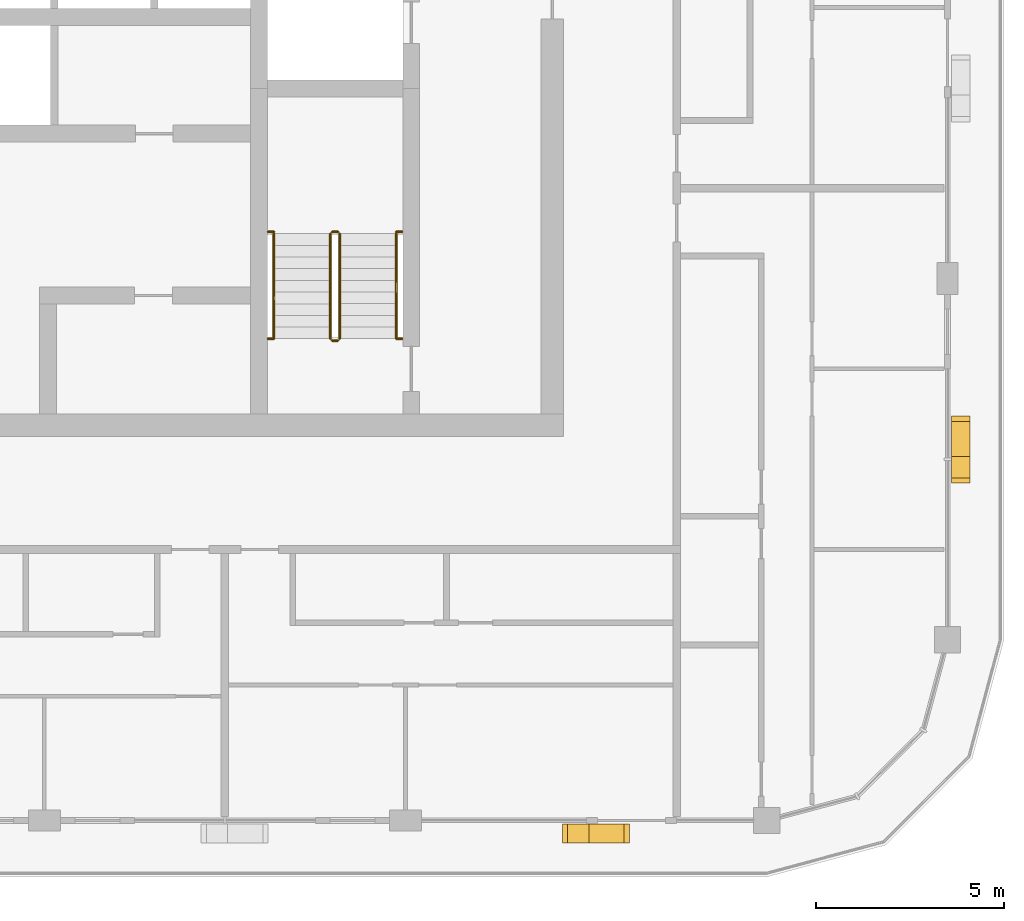
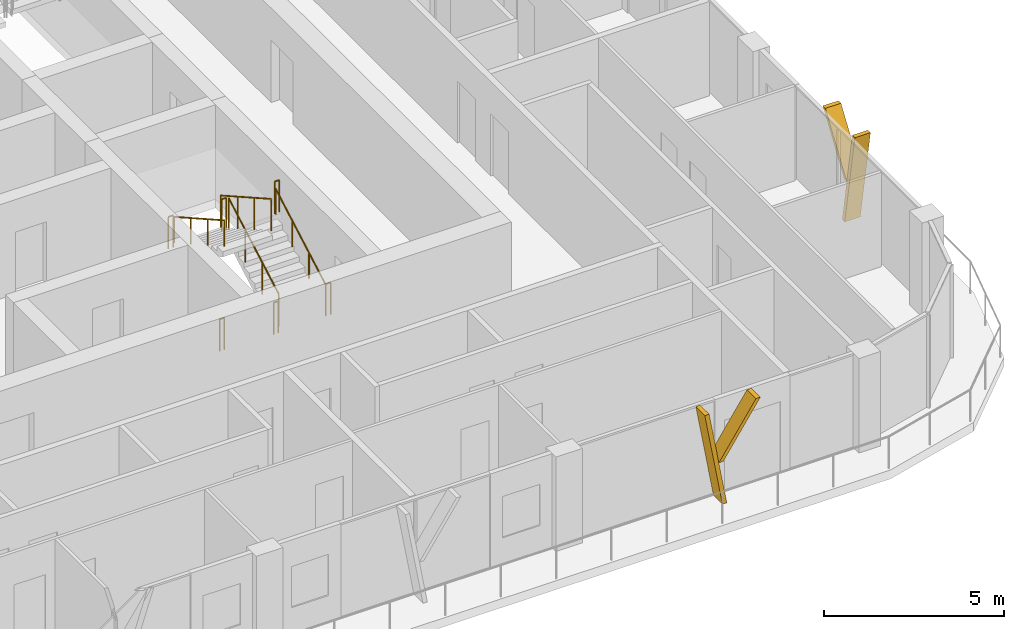
# One storey, part 18 of 21: 10 railings, 4 shading devices.
"""IFC4 building model written with IfcOpenShell, lengths in metres."""

from ifc_helpers import new_model, si_unit, direction, frame, origin, origin_2d, place, context, subcontext, project, spatial, polyline, circle, outline, extrude, material, type_object, element, save


model = new_model("IFC4")

# Units and contexts
model_context = context("Model", 3, precision=1e-05, world=origin(), true_north=direction((0.0, 1.0)))
body_context = subcontext(model_context, "Body", "Model", "MODEL_VIEW")
ifc_project = project(units=[si_unit("LENGTHUNIT", "METRE"), si_unit("AREAUNIT", "SQUARE_METRE"), si_unit("VOLUMEUNIT", "CUBIC_METRE"), si_unit("PLANEANGLEUNIT", "RADIAN"), si_unit("MASSUNIT", "GRAM", prefix="KILO")], contexts=[model_context])

# Site, building, storey
site_placement = place(None, origin())
site = spatial("IfcSite", under=ifc_project, at=site_placement, CompositionType="ELEMENT")
building_placement = place(site_placement, origin())
building = spatial("IfcBuilding", under=site, at=building_placement, Name="Madar Terraces", CompositionType="ELEMENT")
storey_placement = place(building_placement, frame((0.0, 0.0, 252.699951171875)))
storey = spatial("IfcBuildingStorey", under=building, at=storey_placement, Name="L66", CompositionType="ELEMENT", Elevation=252.699951171875)

# Shading devices
ifc_material_1 = material(Name="Aluminium, black anodised", Category="aluminium")
shading_device_type = type_object("IfcShadingDeviceType", Name="Facade fin blade 140 x 500", PredefinedType="USERDEFINED", material=ifc_material_1)
shading_device_1_placement = place(storey_placement, frame((47.929931640625, 4.449951171875, 0.0), z_axis=(0.0, 0.0, 1.0), x_axis=(1.0, 0.0, 0.0)))
element("IfcShadingDevice", 1, at=shading_device_1_placement, inside=storey, type_object=shading_device_type, Name="FIN L66 S5", ObjectType="FIN", PredefinedType="USERDEFINED", context=body_context, shape_type="SweptSolid", body=[
    extrude(outline(polyline([(0.0, 0.0), (0.14013671875, 0.0), (-0.42431640625, 3.199951171875), (-0.564208984375, 3.199951171875), (0.0, 0.0)])), frame((0.0, 0.25, 0.0), z_axis=(0.0, -1.0, 0.0), x_axis=(1.0, 0.0, 0.0)), (0.0, 0.0, 1.0), 0.5),
])
shading_device_2_placement = place(storey_placement, frame((47.816162109375, 4.449951171875, 1.43994140625), z_axis=(0.0, 0.0, 1.0), x_axis=(1.0, 0.0, 0.0)))
element("IfcShadingDevice", 2, at=shading_device_2_placement, inside=storey, type_object=shading_device_type, Name="FIN L66 S5 branch", ObjectType="FIN", PredefinedType="USERDEFINED", context=body_context, shape_type="SweptSolid", body=[
    extrude(outline(polyline([(0.0, 0.0), (0.139892578125, 0.0), (1.32958984375, 1.760009765625), (1.189697265625, 1.760009765625), (0.0, 0.0)])), frame((0.0, 0.25, 0.0), z_axis=(0.0, -1.0, 0.0), x_axis=(1.0, 0.0, 0.0)), (0.0, 0.0, 1.0), 0.5),
])
shading_device_3_placement = place(storey_placement, frame((57.949951171875, 14.330078125, 0.0), z_axis=(0.0, 0.0, 1.0), x_axis=(0.0, 1.0, 0.0)))
element("IfcShadingDevice", 3, at=shading_device_3_placement, inside=storey, type_object=shading_device_type, Name="FIN L66 E1", ObjectType="FIN", PredefinedType="USERDEFINED", context=body_context, shape_type="SweptSolid", body=[
    extrude(outline(polyline([(0.0, 0.0), (0.139892578125, 0.0), (-0.42431640625, 3.199951171875), (-0.564208984375, 3.199951171875), (0.0, 0.0)])), frame((0.0, 0.25, 0.0), z_axis=(0.0, -1.0, 0.0), x_axis=(1.0, 0.0, 0.0)), (0.0, 0.0, 1.0), 0.5),
])
shading_device_4_placement = place(storey_placement, frame((57.949951171875, 14.216064453125, 1.43994140625), z_axis=(0.0, 0.0, 1.0), x_axis=(0.0, 1.0, 0.0)))
element("IfcShadingDevice", 4, at=shading_device_4_placement, inside=storey, type_object=shading_device_type, Name="FIN L66 E1 branch", ObjectType="FIN", PredefinedType="USERDEFINED", context=body_context, shape_type="SweptSolid", body=[
    extrude(outline(polyline([(0.0, 0.0), (0.14013671875, 0.0), (1.32958984375, 1.760009765625), (1.189697265625, 1.760009765625), (0.0, 0.0)])), frame((0.0, 0.25, 0.0), z_axis=(0.0, -1.0, 0.0), x_axis=(1.0, 0.0, 0.0)), (0.0, 0.0, 1.0), 0.5),
])

# Railings
ifc_material_2 = material(Name="Stainless steel railing", Category="steel")
railing_type_1 = type_object("IfcRailingType", Name="Stair guard 1100", PredefinedType="GUARDRAIL", material=ifc_material_2)
railing_1_placement = place(storey_placement, frame((41.449951171875, 17.60009765625, 0.175048828125)))
element("IfcRailing", 5, at=railing_1_placement, inside=storey, type_object=railing_type_1, Name="L66 ST3 stair guard 1", PredefinedType="GUARDRAIL", context=body_context, shape_type="SweptSolid", body=[
    extrude(circle(Radius=0.02392578125, at=origin_2d()), frame((0.0, 0.0, 1.076171875), z_axis=(0.0, 0.870815363784, 0.491610213684), x_axis=(-1.0, 0.0, 0.0)), (0.0, 0.0, 1.0), 3.20361328125),
    extrude(circle(Radius=0.02099609375, at=origin_2d()), origin(), (0.0, 0.0, 1.0), 1.052001953125),
    extrude(circle(Radius=0.02099609375, at=origin_2d()), frame((0.0, 0.929931640625, 0.52490234375)), (0.0, 0.0, 1.0), 1.052001953125),
    extrude(circle(Radius=0.02099609375, at=origin_2d()), frame((0.0, 1.85986328125, 1.050048828125)), (0.0, 0.0, 1.0), 1.052001953125),
    extrude(circle(Radius=0.02099609375, at=origin_2d()), frame((0.0, 2.789794921875, 1.574951171875)), (0.0, 0.0, 1.0), 1.052001953125),
])
railing_2_placement = place(storey_placement, frame((41.39990234375, 20.43994140625, 1.75)))
element("IfcRailing", 6, at=railing_2_placement, inside=storey, type_object=railing_type_1, Name="L66 ST3 stair guard 2", PredefinedType="GUARDRAIL", context=body_context, shape_type="SweptSolid", body=[
    extrude(circle(Radius=0.02392578125, at=origin_2d()), frame((0.0, 0.0, 1.076171875), z_axis=(-1.0, 0.0, 0.0), x_axis=(0.0, -1.0, 0.0)), (0.0, 0.0, 1.0), 0.14990234375),
    extrude(circle(Radius=0.02099609375, at=origin_2d()), origin(), (0.0, 0.0, 1.0), 1.052001953125),
    extrude(circle(Radius=0.02099609375, at=origin_2d()), frame((-0.14990234375, 0.0, 0.0)), (0.0, 0.0, 1.0), 1.052001953125),
])
railing_3_placement = place(storey_placement, frame((41.199951171875, 20.389892578125, 1.925048828125)))
element("IfcRailing", 7, at=railing_3_placement, inside=storey, type_object=railing_type_1, Name="L66 ST3 stair guard 3", PredefinedType="GUARDRAIL", context=body_context, shape_type="SweptSolid", body=[
    extrude(circle(Radius=0.02392578125, at=origin_2d()), frame((0.0, 0.0, 1.076171875), z_axis=(0.0, -0.870815363784, 0.491610213684), x_axis=(1.0, 0.0, 0.0)), (0.0, 0.0, 1.0), 3.20361328125),
    extrude(circle(Radius=0.02099609375, at=origin_2d()), origin(), (0.0, 0.0, 1.0), 1.052001953125),
    extrude(circle(Radius=0.02099609375, at=origin_2d()), frame((0.0, -0.929931640625, 0.52490234375)), (0.0, 0.0, 1.0), 1.052001953125),
    extrude(circle(Radius=0.02099609375, at=origin_2d()), frame((0.0, -1.85986328125, 1.050048828125)), (0.0, 0.0, 1.0), 1.052001953125),
    extrude(circle(Radius=0.02099609375, at=origin_2d()), frame((0.0, -2.789794921875, 1.574951171875)), (0.0, 0.0, 1.0), 1.052001953125),
])
railing_4_placement = place(storey_placement, frame((41.39990234375, 17.550048828125, 0.0)))
element("IfcRailing", 8, at=railing_4_placement, inside=storey, type_object=railing_type_1, Name="L66 ST3 stair guard 4", PredefinedType="GUARDRAIL", context=body_context, shape_type="SweptSolid", body=[
    extrude(circle(Radius=0.02392578125, at=origin_2d()), frame((0.0, 0.0, 1.076171875), z_axis=(-1.0, 0.0, 0.0), x_axis=(0.0, -1.0, 0.0)), (0.0, 0.0, 1.0), 0.14990234375),
    extrude(circle(Radius=0.02099609375, at=origin_2d()), origin(), (0.0, 0.0, 1.0), 1.052001953125),
    extrude(circle(Radius=0.02099609375, at=origin_2d()), frame((-0.14990234375, 0.0, 0.0)), (0.0, 0.0, 1.0), 1.052001953125),
])
for number, where, name in (
    (9, (39.544921875, 20.43994140625, 1.75), "L66 stair guard seat 1"),
    (10, (42.949951171875, 20.43994140625, 1.75), "L66 stair guard seat 2"),
    (11, (39.544921875, 17.60009765625, 0.0), "L66 stair guard floor 1"),
    (12, (42.949951171875, 17.60009765625, 0.0), "L66 stair guard floor 2"),
):
    element("IfcRailing", number, at=place(storey_placement, frame(where)), inside=storey, type_object=railing_type_1, Name=name, PredefinedType="GUARDRAIL", context=body_context, shape_type="SweptSolid", body=[
        extrude(circle(Radius=0.02392578125, at=origin_2d()), frame((0.0, 0.0, 1.076171875), z_axis=(1.0, 0.0, 0.0), x_axis=(0.0, 1.0, 0.0)), (0.0, 0.0, 1.0), 0.155029296875),
        extrude(circle(Radius=0.02099609375, at=origin_2d()), origin(), (0.0, 0.0, 1.0), 1.052001953125),
        extrude(circle(Radius=0.02099609375, at=origin_2d()), frame((0.155029296875, 0.0, 0.0)), (0.0, 0.0, 1.0), 1.052001953125),
    ])
ifc_material_3 = material(Name="Stainless steel railing", Category="steel")
railing_type_2 = type_object("IfcRailingType", Name="Stair handrail 900", PredefinedType="HANDRAIL", material=ifc_material_3)
railing_5_placement = place(storey_placement, frame((42.949951171875, 17.60009765625, 0.175048828125)))
element("IfcRailing", 13, at=railing_5_placement, inside=storey, type_object=railing_type_2, Name="L66 ST3 stair handrail 1", PredefinedType="HANDRAIL", context=body_context, shape_type="SweptSolid", body=[
    extrude(circle(Radius=0.02392578125, at=origin_2d()), frame((0.0, 0.0, 0.8759765625), z_axis=(0.0, 0.870815363784, 0.491610213684), x_axis=(-1.0, 0.0, 0.0)), (0.0, 0.0, 1.0), 3.20361328125),
    extrude(circle(Radius=0.02099609375, at=origin_2d()), origin(), (0.0, 0.0, 1.0), 0.851806640625),
    extrude(circle(Radius=0.02099609375, at=origin_2d()), frame((0.0, 0.929931640625, 0.52490234375)), (0.0, 0.0, 1.0), 0.851806640625),
    extrude(circle(Radius=0.02099609375, at=origin_2d()), frame((0.0, 1.85986328125, 1.050048828125)), (0.0, 0.0, 1.0), 0.851806640625),
    extrude(circle(Radius=0.02099609375, at=origin_2d()), frame((0.0, 2.789794921875, 1.574951171875)), (0.0, 0.0, 1.0), 0.851806640625),
])
railing_6_placement = place(storey_placement, frame((39.699951171875, 20.389892578125, 1.925048828125)))
element("IfcRailing", 14, at=railing_6_placement, inside=storey, type_object=railing_type_2, Name="L66 ST3 stair handrail 2", PredefinedType="HANDRAIL", context=body_context, shape_type="SweptSolid", body=[
    extrude(circle(Radius=0.02392578125, at=origin_2d()), frame((0.0, 0.0, 0.8759765625), z_axis=(0.0, -0.870815363784, 0.491610213684), x_axis=(1.0, 0.0, 0.0)), (0.0, 0.0, 1.0), 3.20361328125),
    extrude(circle(Radius=0.02099609375, at=origin_2d()), origin(), (0.0, 0.0, 1.0), 0.851806640625),
    extrude(circle(Radius=0.02099609375, at=origin_2d()), frame((0.0, -0.929931640625, 0.52490234375)), (0.0, 0.0, 1.0), 0.851806640625),
    extrude(circle(Radius=0.02099609375, at=origin_2d()), frame((0.0, -1.85986328125, 1.050048828125)), (0.0, 0.0, 1.0), 0.851806640625),
    extrude(circle(Radius=0.02099609375, at=origin_2d()), frame((0.0, -2.789794921875, 1.574951171875)), (0.0, 0.0, 1.0), 0.851806640625),
])

save(model, "model.ifc")
